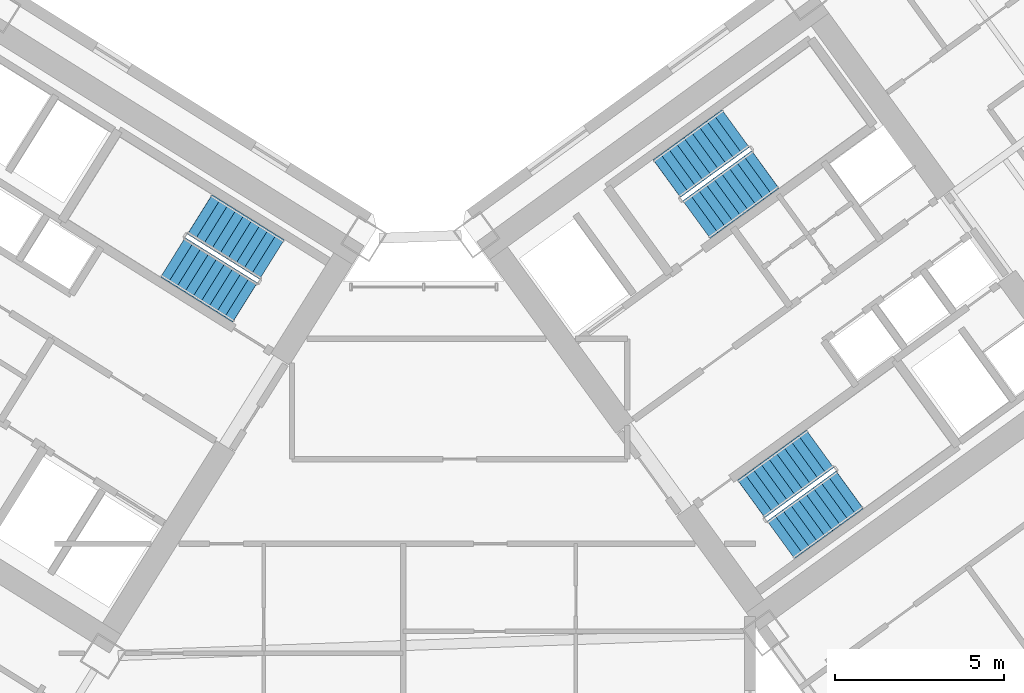
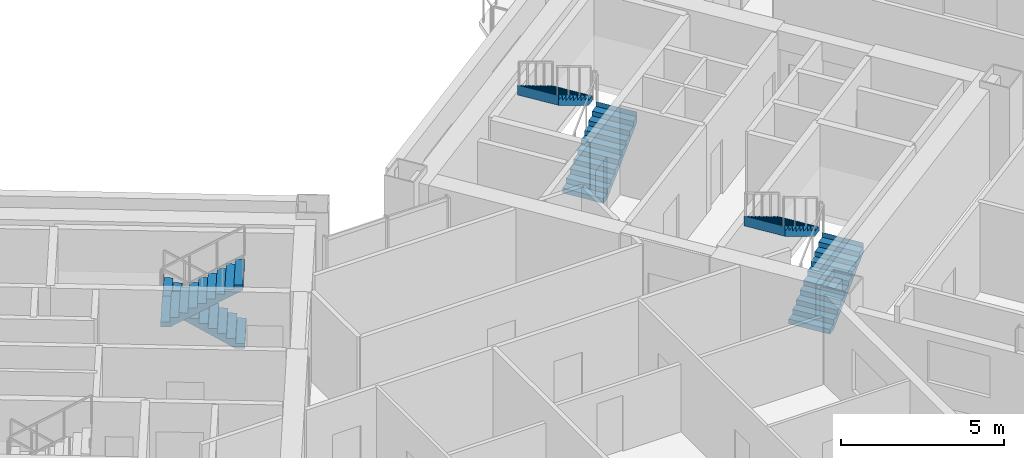
# One storey, part 20 of 24: 6 stair flights, 3 elements without a shape of their own.
"""IFC4 building model written with IfcOpenShell, lengths in metres."""

from ifc_helpers import new_model, si_unit, direction, frame, origin, place, context, subcontext, project, spatial, polyline, outline, extrude, source, transform, mapped, material, type_object, element, aggregate, save


model = new_model("IFC4")

# Units and contexts
model_context = context("Model", 3, precision=1e-05, world=origin(), true_north=direction((0.0, 1.0)))
body_context = subcontext(model_context, "Body", "Model", "MODEL_VIEW")
ifc_project = project(units=[si_unit("LENGTHUNIT", "METRE"), si_unit("AREAUNIT", "SQUARE_METRE"), si_unit("VOLUMEUNIT", "CUBIC_METRE"), si_unit("PLANEANGLEUNIT", "RADIAN"), si_unit("MASSUNIT", "GRAM", prefix="KILO")], contexts=[model_context])

# Site, building, storey
site_placement = place(None, origin())
site = spatial("IfcSite", under=ifc_project, at=site_placement, CompositionType="ELEMENT")
building_placement = place(site_placement, origin())
building = spatial("IfcBuilding", under=site, at=building_placement, Name="Tlacorven Tower", CompositionType="ELEMENT")
storey_placement = place(building_placement, frame((0.0, 0.0, 38.39990234375)))
storey = spatial("IfcBuildingStorey", under=building, at=storey_placement, Name="L09", CompositionType="ELEMENT", Elevation=38.39990234375)

# Stair, stair flights
ifc_material = material(Name="Concrete C40/50", Category="concrete")
stair_type = type_object("IfcStairType", Name="ST-CORE-DLG", PredefinedType="HALF_TURN_STAIR", material=ifc_material)
stair_1_placement = place(storey_placement, origin())
stair_1 = element("IfcStair", 1, at=stair_1_placement, inside=storey, type_object=stair_type, Name="L09 Protected Exit Stair West 2", PredefinedType="HALF_TURN_STAIR")
stair_flight_type = type_object("IfcStairFlightType", Name="SFL-RC-1380", PredefinedType="STRAIGHT", material=ifc_material)
shared_shape = source(origin(), body_context, "Body", "SweptSolid", [
    extrude(outline(polyline([(-0.0029296875, -0.0029296875), (-0.0029296875, 0.179931640625), (0.280029296875, 0.179931640625), (0.280029296875, 0.360107421875), (0.56005859375, 0.360107421875), (0.56005859375, 0.5400390625), (0.840087890625, 0.5400390625), (0.840087890625, 0.719970703125), (1.1201171875, 0.719970703125), (1.1201171875, 0.89990234375), (1.39990234375, 0.89990234375), (1.39990234375, 1.080078125), (1.679931640625, 1.080078125), (1.679931640625, 1.260009765625), (1.9599609375, 1.260009765625), (1.9599609375, 1.43994140625), (2.239990234375, 1.43994140625), (2.239990234375, 1.6201171875), (2.52001953125, 1.6201171875), (2.52001953125, 1.800048828125), (2.52294921875, 1.800048828125), (2.52294921875, 1.429931640625), (2.52001953125, 1.429931640625), (0.295654296875, 0.0), (0.295654296875, -0.0029296875), (-0.0029296875, -0.0029296875)])), frame((0.0, 0.68994140625, 0.0), z_axis=(0.0, -1.0, 0.0), x_axis=(1.0, 0.0, 0.0)), (0.0, 0.0, 1.0), 1.3798828125),
])
stair_flight_1_placement = place(storey_placement, frame((38.051513671875, 23.852294921875, 0.0), z_axis=(0.0, 0.0, 1.0), x_axis=(-0.848048096156, 0.529919264233, 0.0)))
stair_flight_1 = element("IfcStairFlight", 2, at=stair_flight_1_placement, type_object=stair_flight_type, Name="ST-W2 flight 1", NumberOfRisers=10, NumberOfTreads=9, PredefinedType="STRAIGHT", RiserHeight=0.18, TreadLength=0.28, context=body_context, shape_type="MappedRepresentation", body=[
    mapped(shared_shape, transform((0.0, 0.0, 0.0), scale=1.0)),
])
stair_flight_2_placement = place(storey_placement, frame((35.119384765625, 23.91552734375, 1.800048828125), z_axis=(0.0, 0.0, 1.0), x_axis=(0.848048096156, -0.529919264233, 0.0)))
stair_flight_2 = element("IfcStairFlight", 3, at=stair_flight_2_placement, type_object=stair_flight_type, Name="ST-W2 flight 2", NumberOfRisers=10, NumberOfTreads=9, PredefinedType="STRAIGHT", RiserHeight=0.18, TreadLength=0.28, context=body_context, shape_type="MappedRepresentation", body=[
    mapped(shared_shape, transform((0.0, 0.0, 0.0), scale=1.0)),
])
aggregate(stair_1, [stair_flight_1, stair_flight_2])

stair_2_placement = place(storey_placement, origin())
stair_2 = element("IfcStair", 4, at=stair_2_placement, inside=storey, type_object=stair_type, Name="L09 Protected Exit Stair East 1", PredefinedType="HALF_TURN_STAIR")
stair_flight_3_placement = place(storey_placement, frame((50.6533203125, 25.0400390625, 0.0), z_axis=(0.0, 0.0, 1.0), x_axis=(0.809016994375, 0.587785252292, 0.0)))
stair_flight_3 = element("IfcStairFlight", 5, at=stair_flight_3_placement, type_object=stair_flight_type, Name="ST-E1 flight 1", NumberOfRisers=10, NumberOfTreads=9, PredefinedType="STRAIGHT", RiserHeight=0.18, TreadLength=0.28, context=body_context, shape_type="MappedRepresentation", body=[
    mapped(shared_shape, transform((0.0, 0.0, 0.0), scale=1.0)),
])
stair_flight_4_placement = place(storey_placement, frame((51.810546875, 27.734619140625, 1.800048828125), z_axis=(0.0, 0.0, 1.0), x_axis=(-0.809016994375, -0.587785252292, 0.0)))
stair_flight_4 = element("IfcStairFlight", 6, at=stair_flight_4_placement, type_object=stair_flight_type, Name="ST-E1 flight 2", NumberOfRisers=10, NumberOfTreads=9, PredefinedType="STRAIGHT", RiserHeight=0.18, TreadLength=0.28, context=body_context, shape_type="MappedRepresentation", body=[
    mapped(shared_shape, transform((0.0, 0.0, 0.0), scale=1.0)),
])
aggregate(stair_2, [stair_flight_3, stair_flight_4])

stair_3_placement = place(storey_placement, origin())
stair_3 = element("IfcStair", 7, at=stair_3_placement, inside=storey, type_object=stair_type, Name="L09 Protected Exit Stair East 2", PredefinedType="HALF_TURN_STAIR")
stair_flight_5_placement = place(storey_placement, frame((53.157470703125, 15.536865234375, 0.0), z_axis=(0.0, 0.0, 1.0), x_axis=(0.809016994375, 0.587785252292, 0.0)))
stair_flight_5 = element("IfcStairFlight", 8, at=stair_flight_5_placement, type_object=stair_flight_type, Name="ST-E2 flight 1", NumberOfRisers=10, NumberOfTreads=9, PredefinedType="STRAIGHT", RiserHeight=0.18, TreadLength=0.28, context=body_context, shape_type="MappedRepresentation", body=[
    mapped(shared_shape, transform((0.0, 0.0, 0.0), scale=1.0)),
])
stair_flight_6_placement = place(storey_placement, frame((54.314453125, 18.231689453125, 1.800048828125), z_axis=(0.0, 0.0, 1.0), x_axis=(-0.809016994375, -0.587785252292, 0.0)))
stair_flight_6 = element("IfcStairFlight", 9, at=stair_flight_6_placement, type_object=stair_flight_type, Name="ST-E2 flight 2", NumberOfRisers=10, NumberOfTreads=9, PredefinedType="STRAIGHT", RiserHeight=0.18, TreadLength=0.28, context=body_context, shape_type="MappedRepresentation", body=[
    mapped(shared_shape, transform((0.0, 0.0, 0.0), scale=1.0)),
])
aggregate(stair_3, [stair_flight_5, stair_flight_6])

save(model, "model.ifc")
